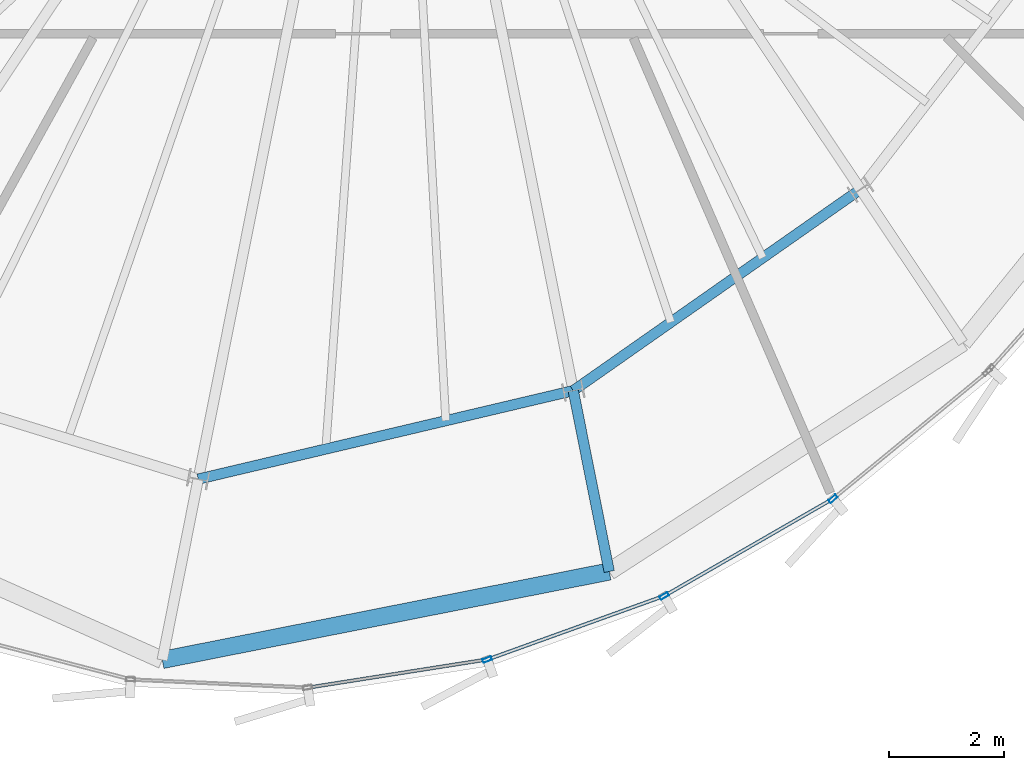
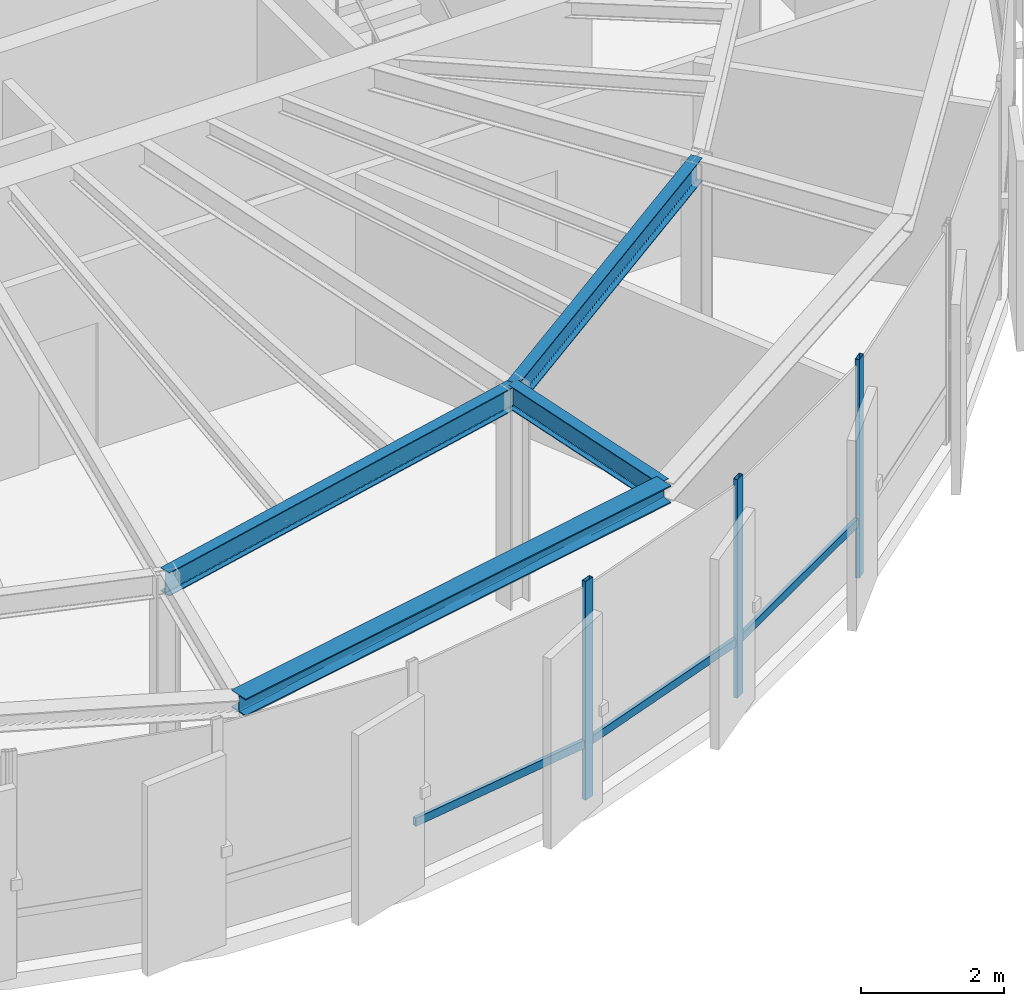
# One storey, part 6 of 27: 6 members, 4 beams, 1 element without a shape of its own.
"""IFC4 building model written with IfcOpenShell, lengths in metres."""

from ifc_helpers import new_model, si_unit, direction, frame, origin, origin_2d, place, context, subcontext, project, spatial, hollow_rectangle, i_section, extrude, source, transform, mapped, material, layer, layer_set, material_profile, profile_set, type_object, element, aggregate, save


model = new_model("IFC4")

# Units and contexts
model_context = context("Model", 3, precision=1e-05, world=origin(), true_north=direction((0.0, 1.0)))
body_context = subcontext(model_context, "Body", "Model", "MODEL_VIEW")
ifc_project = project(units=[si_unit("LENGTHUNIT", "METRE"), si_unit("AREAUNIT", "SQUARE_METRE"), si_unit("VOLUMEUNIT", "CUBIC_METRE"), si_unit("PLANEANGLEUNIT", "RADIAN"), si_unit("MASSUNIT", "GRAM", prefix="KILO"), si_unit("THERMODYNAMICTEMPERATUREUNIT", "KELVIN")], contexts=[model_context])

# Site, building, storey
site_placement = place(None, origin())
site = spatial("IfcSite", under=ifc_project, at=site_placement, CompositionType="ELEMENT")
building_placement = place(site_placement, origin())
building = spatial("IfcBuilding", under=site, at=building_placement, Name="Kethvar Cultural Tower", CompositionType="ELEMENT")
storey_placement = place(building_placement, frame((0.0, 0.0, 312.300048828125)))
storey = spatial("IfcBuildingStorey", under=building, at=storey_placement, Name="L83", CompositionType="ELEMENT", Elevation=312.300048828125)

# Beams
ifc_material_1 = material(Name="Steel S355J2", Category="steel")
ifc_material_profile_1 = material_profile(ifc_material_1, i_section(OverallWidth=0.179931640625, OverallDepth=0.39990234375, WebThickness=0.008544921875, FlangeThickness=0.013427734375, FilletRadius=0.02099609375, at=origin_2d()), Name="Steel S355J2 — IPE400")
ifc_profile_set_1 = profile_set([ifc_material_profile_1], Name="Steel S355J2 — IPE400")
beam_type_1 = type_object("IfcBeamType", Name="BM-IPE400", PredefinedType="BEAM", material=ifc_profile_set_1)
shared_shape_1 = source(origin(), body_context, "Body", "SweptSolid", [
    extrude(i_section(OverallWidth=0.179931640625, OverallDepth=0.39990234375, WebThickness=0.008544921875, FlangeThickness=0.013427734375, FilletRadius=0.02099609375, at=origin_2d()), origin(), (0.0, 0.0, 1.0), 3.199951171875),
])
beam_1_placement = place(storey_placement, frame((49.901611328125, 12.206787109375, 3.532958984375), z_axis=(0.195088965533, -0.980785550224, 0.0), x_axis=(0.980785550224, 0.195088965533, 0.0)))
element("IfcBeam", 1, at=beam_1_placement, inside=storey, type_object=beam_type_1, Name="L83 Perimeter Cantilever Beam RC-13", PredefinedType="BEAM", context=body_context, shape_type="MappedRepresentation", body=[
    mapped(shared_shape_1, transform((0.0, 0.0, 0.0), scale=1.0)),
])
shared_shape_2 = source(origin(), body_context, "Body", "SweptSolid", [
    extrude(i_section(OverallWidth=0.179931640625, OverallDepth=0.39990234375, WebThickness=0.008544921875, FlangeThickness=0.013427734375, FilletRadius=0.02099609375, at=origin_2d()), origin(), (0.0, 0.0, 1.0), 6.6875),
])
beam_2_placement = place(storey_placement, frame((43.392822265625, 10.67138671875, 3.532958984375), z_axis=(0.973286301494, 0.22959480683, 0.0), x_axis=(-0.22959480683, 0.973286301494, 0.0)))
element("IfcBeam", 2, at=beam_2_placement, inside=storey, type_object=beam_type_1, Name="L83 Column Ring Tie Beam CR-12", PredefinedType="BEAM", context=body_context, shape_type="MappedRepresentation", body=[
    mapped(shared_shape_2, transform((0.0, 0.0, 0.0), scale=1.0)),
])
ifc_material_profile_2 = material_profile(ifc_material_1, i_section(OverallWidth=0.300048828125, OverallDepth=0.300048828125, WebThickness=0.010986328125, FlangeThickness=0.01904296875, FilletRadius=0.027099609375, at=origin_2d()), Name="Steel S355J2 — HEB300")
ifc_profile_set_2 = profile_set([ifc_material_profile_2], Name="Steel S355J2 — HEB300")
beam_type_2 = type_object("IfcBeamType", Name="BM-SP300", PredefinedType="SPANDREL", material=ifc_profile_set_2)
shared_shape_3 = source(origin(), body_context, "Body", "SweptSolid", [
    extrude(i_section(OverallWidth=0.300048828125, OverallDepth=0.300048828125, WebThickness=0.010986328125, FlangeThickness=0.01904296875, FilletRadius=0.027099609375, at=origin_2d()), origin(), (0.0, 0.0, 1.0), 7.907958984375),
])
beam_3_placement = place(storey_placement, frame((42.7685546875, 7.53271484375, 3.5830078125), z_axis=(0.980963515828, 0.194192122948, 0.0), x_axis=(-0.194192122948, 0.980963515828, 0.0)))
element("IfcBeam", 3, at=beam_3_placement, inside=storey, type_object=beam_type_2, Name="L83 Perimeter Spandrel Beam SP-12", PredefinedType="SPANDREL", context=body_context, shape_type="MappedRepresentation", body=[
    mapped(shared_shape_3, transform((0.0, 0.0, 0.0), scale=1.0)),
])
shared_shape_4 = source(origin(), body_context, "Body", "SweptSolid", [
    extrude(i_section(OverallWidth=0.179931640625, OverallDepth=0.39990234375, WebThickness=0.008544921875, FlangeThickness=0.013427734375, FilletRadius=0.02099609375, at=origin_2d()), origin(), (0.0, 0.0, 1.0), 6.0859375),
])
beam_4_placement = place(storey_placement, frame((49.901611328125, 12.206787109375, 3.532958984375), z_axis=(0.818843498091, 0.57401683393, 0.0), x_axis=(-0.57401683393, 0.818843498091, 0.0)))
element("IfcBeam", 4, at=beam_4_placement, inside=storey, type_object=beam_type_1, Name="L83 Column Ring Tie Beam CR-13", PredefinedType="BEAM", context=body_context, shape_type="MappedRepresentation", body=[
    mapped(shared_shape_4, transform((0.0, 0.0, 0.0), scale=1.0)),
])

# Curtain wall, members
ifc_material_2 = material(Name="Aluminium 6063-T6", Category="aluminium")
ifc_layer = layer(ifc_material_2, 0.179931640625, Name="Aluminium 6063-T6", Category="aluminium")
ifc_layer_set = layer_set([ifc_layer], Name="Aluminium 6063-T6 (180 mm)")
curtain_wall_type = type_object("IfcCurtainWallType", Name="CW-SYS-06-CROWN", PredefinedType="NOTDEFINED", material=ifc_layer_set)
curtain_wall_placement = place(storey_placement, origin())
curtain_wall = element("IfcCurtainWall", 5, at=curtain_wall_placement, inside=storey, type_object=curtain_wall_type, Name="L83 Curtain Wall Run 04", PredefinedType="NOTDEFINED")
ifc_material_profile_3 = material_profile(ifc_material_2, hollow_rectangle(XDim=0.06494140625, YDim=0.159912109375, WallThickness=0.0048828125, at=origin_2d()), Name="Aluminium 6063-T6 — RHS160x65x5")
ifc_profile_set_3 = profile_set([ifc_material_profile_3], Name="Aluminium 6063-T6 — RHS160x65x5")
member_type_1 = type_object("IfcMemberType", Name="CW-SYS-06-CROWN-MUL", PredefinedType="MULLION", material=ifc_profile_set_3)
shared_shape_5 = source(origin(), body_context, "Body", "SweptSolid", [
    extrude(hollow_rectangle(XDim=0.06494140625, YDim=0.159912109375, WallThickness=0.0048828125, at=origin_2d()), origin(), (0.0, 0.0, 1.0), 3.73486328125),
])
member_1_placement = place(storey_placement, frame((48.408447265625, 7.53955078125, 0.0), z_axis=(0.0, 0.0, 1.0), x_axis=(-0.338787184183, 0.940863031388, 0.0)))
member_1 = element("IfcMember", 6, at=member_1_placement, type_object=member_type_1, Name="CW-L83-R04 Mullion 4", PredefinedType="MULLION", context=body_context, shape_type="MappedRepresentation", body=[
    mapped(shared_shape_5, transform((0.0, 0.0, 0.0), scale=1.0)),
])
member_2_placement = place(storey_placement, frame((51.479248046875, 8.643310546875, 0.0), z_axis=(0.0, 0.0, 1.0), x_axis=(-0.499334792864, 0.866409120818, 0.0)))
member_2 = element("IfcMember", 7, at=member_2_placement, type_object=member_type_1, Name="CW-L83-R04 Mullion 5", PredefinedType="MULLION", context=body_context, shape_type="MappedRepresentation", body=[
    mapped(shared_shape_5, transform((0.0, 0.0, 0.0), scale=1.0)),
])
member_3_placement = place(storey_placement, frame((54.40869140625, 10.32958984375, 0.0), z_axis=(0.0, 0.0, 1.0), x_axis=(-0.635310264435, 0.772256996021, 0.0)))
member_3 = element("IfcMember", 8, at=member_3_placement, type_object=member_type_1, Name="CW-L83-R04 Mullion 6", PredefinedType="MULLION", context=body_context, shape_type="MappedRepresentation", body=[
    mapped(shared_shape_5, transform((0.0, 0.0, 0.0), scale=1.0)),
])
ifc_material_profile_4 = material_profile(ifc_material_2, hollow_rectangle(XDim=0.06005859375, YDim=0.139892578125, WallThickness=0.0048828125, at=origin_2d()), Name="Aluminium 6063-T6 — RHS140x60x5")
ifc_profile_set_4 = profile_set([ifc_material_profile_4], Name="Aluminium 6063-T6 — RHS140x60x5")
member_type_2 = type_object("IfcMemberType", Name="CW-SYS-06-CROWN-TRN", PredefinedType="USERDEFINED", material=ifc_profile_set_4)
shared_shape_6 = source(origin(), body_context, "Body", "SweptSolid", [
    extrude(hollow_rectangle(XDim=0.06005859375, YDim=0.139892578125, WallThickness=0.0048828125, at=origin_2d()), origin(), (0.0, 0.0, 1.0), 3.306396484375),
])
member_4_placement = place(storey_placement, frame((51.519775390625, 8.66650390625, 0.949951171875), z_axis=(0.866396938098, 0.49935593083, 0.0), x_axis=(-0.49935593083, 0.866396938098, 0.0)))
member_4 = element("IfcMember", 9, at=member_4_placement, type_object=member_type_2, Name="CW-L83-R04 Transom 5", ObjectType="TRANSOM", PredefinedType="USERDEFINED", context=body_context, shape_type="MappedRepresentation", body=[
    mapped(shared_shape_6, transform((0.0, 0.0, 0.0), scale=1.0)),
])
shared_shape_7 = source(origin(), body_context, "Body", "SweptSolid", [
    extrude(hollow_rectangle(XDim=0.06005859375, YDim=0.139892578125, WallThickness=0.0048828125, at=origin_2d()), origin(), (0.0, 0.0, 1.0), 3.1904296875),
])
member_5_placement = place(storey_placement, frame((48.45263671875, 7.555419921875, 0.949951171875), z_axis=(0.940867899829, 0.338773663485, 0.0), x_axis=(-0.338773663485, 0.940867899829, 0.0)))
member_5 = element("IfcMember", 10, at=member_5_placement, type_object=member_type_2, Name="CW-L83-R04 Transom 4", ObjectType="TRANSOM", PredefinedType="USERDEFINED", context=body_context, shape_type="MappedRepresentation", body=[
    mapped(shared_shape_7, transform((0.0, 0.0, 0.0), scale=1.0)),
])
shared_shape_8 = source(origin(), body_context, "Body", "SweptSolid", [
    extrude(hollow_rectangle(XDim=0.06005859375, YDim=0.139892578125, WallThickness=0.0048828125, at=origin_2d()), origin(), (0.0, 0.0, 1.0), 3.084716796875),
])
member_6_placement = place(storey_placement, frame((45.3369140625, 7.058837890625, 0.949951171875), z_axis=(0.987870535782, 0.155279762154, 0.0), x_axis=(-0.155279762154, 0.987870535782, 0.0)))
member_6 = element("IfcMember", 11, at=member_6_placement, type_object=member_type_2, Name="CW-L83-R04 Transom 3", ObjectType="TRANSOM", PredefinedType="USERDEFINED", context=body_context, shape_type="MappedRepresentation", body=[
    mapped(shared_shape_8, transform((0.0, 0.0, 0.0), scale=1.0)),
])
aggregate(curtain_wall, [member_1, member_2, member_3, member_6, member_5, member_4])

save(model, "model.ifc")
